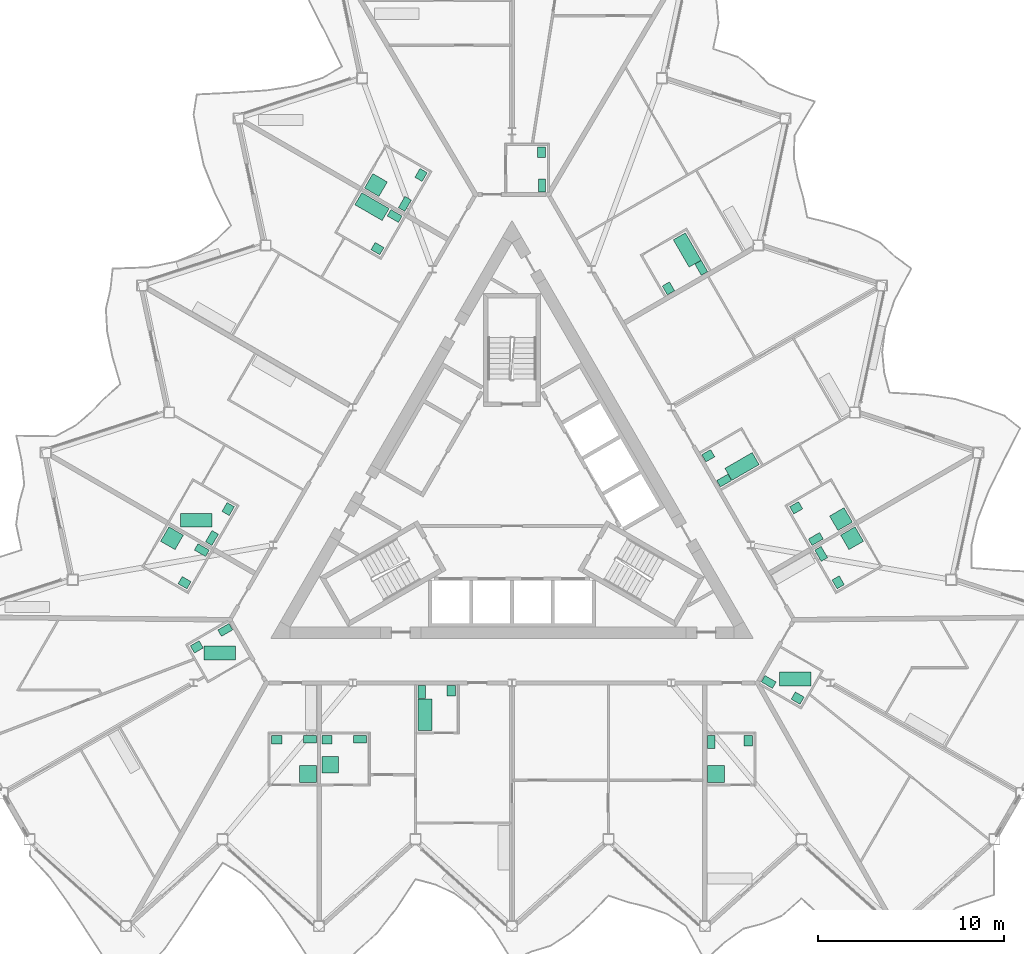
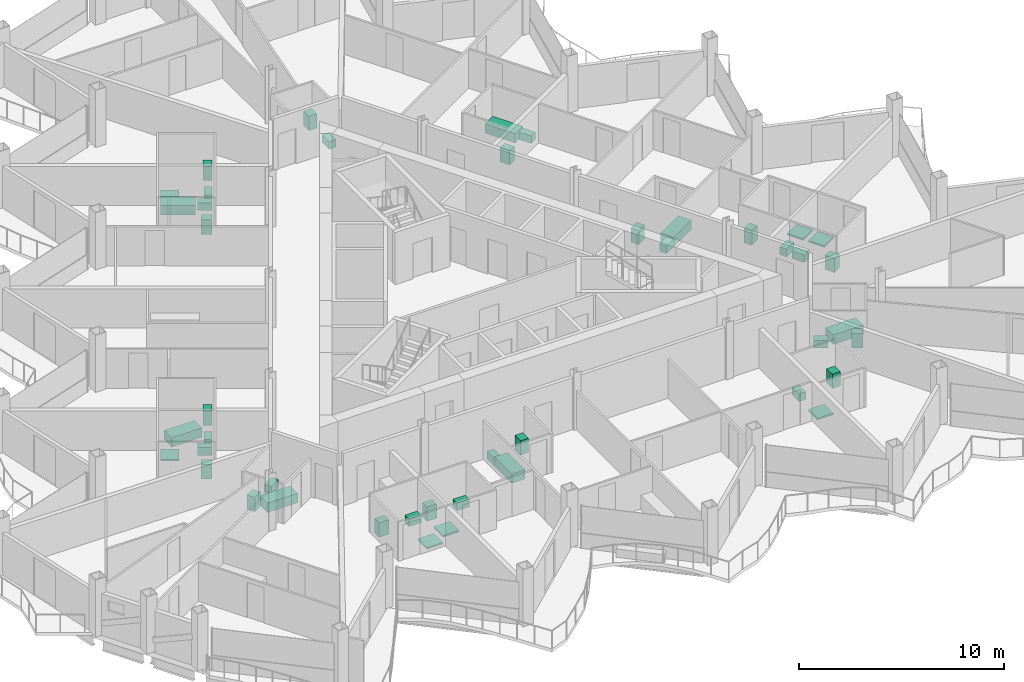
# One storey, part 26 of 27: 44 sanitary terminals.
"""IFC4 building model written with IfcOpenShell, lengths in metres."""

from ifc_helpers import new_model, si_unit, direction, frame, origin, origin_2d, place, context, subcontext, project, spatial, rectangle, extrude, material, type_object, element, save


model = new_model("IFC4")

# Units and contexts
model_context = context("Model", 3, precision=1e-05, world=origin(), true_north=direction((0.0, 1.0)))
body_context = subcontext(model_context, "Body", "Model", "MODEL_VIEW")
ifc_project = project(units=[si_unit("LENGTHUNIT", "METRE"), si_unit("AREAUNIT", "SQUARE_METRE"), si_unit("VOLUMEUNIT", "CUBIC_METRE"), si_unit("PLANEANGLEUNIT", "RADIAN"), si_unit("MASSUNIT", "GRAM", prefix="KILO")], contexts=[model_context])

# Site, building, storey
site_placement = place(None, origin())
site = spatial("IfcSite", under=ifc_project, at=site_placement, CompositionType="ELEMENT")
building_placement = place(site_placement, origin())
building = spatial("IfcBuilding", under=site, at=building_placement, Name="Cormorant Prow Tower", CompositionType="ELEMENT")
storey_placement = place(building_placement, frame((0.0, 0.0, 335.800048828125)))
storey = spatial("IfcBuildingStorey", under=building, at=storey_placement, Name="L75", CompositionType="ELEMENT", Elevation=335.800048828125)

# Sanitary terminals
ifc_material_1 = material(Name="Vitreous china")
sanitary_terminal_type_1 = type_object("IfcSanitaryTerminalType", Name="Bath 1700x750", PredefinedType="BATH", material=ifc_material_1)
for number, where, z_axis, x_axis, name in (
    (1, (-4.67626953125, -11.610595703125, 0.0), (0.0, 0.0, 1.0), (0.0, 1.0, 0.0), "Bath"),
    (2, (15.2607421875, -9.70068359375, 0.0), (0.0, 0.0, 1.0), (1.0, 0.0, 0.0), "Bath"),
    (3, (12.393310546875, 1.755615234375, 0.0), (0.0, 0.0, 1.0), (-0.866025403784, -0.5, 0.0), "Bath"),
    (4, (9.440673828125, 13.41943359375, 0.0), (0.0, 0.0, 1.0), (0.5, -0.866025403784, 0.0), "Bath"),
    (5, (-7.543701171875, 15.755126953125, 0.0), (0.0, 0.0, 1.0), (0.866025403784, -0.5, 0.0), "Bath"),
    (6, (-17.008056640625, -1.142578125, 0.0), (0.0, 0.0, 1.0), (1.0, 0.0, 0.0), "Bath"),
    (7, (-15.75244140625, -8.29248046875, 0.0), (0.0, 0.0, 1.0), (1.0, 0.0, 0.0), "Bath"),
):
    element("IfcSanitaryTerminal", number, at=place(storey_placement, frame(where, z_axis=z_axis, x_axis=x_axis)), inside=storey, type_object=sanitary_terminal_type_1, Name=name, PredefinedType="BATH", context=body_context, shape_type="SweptSolid", body=[
        extrude(rectangle(XDim=1.699951171875, YDim=0.75, at=origin_2d()), origin(), (0.0, 0.0, 1.0), 0.550048828125),
    ])
ifc_material_2 = material(Name="Vitreous china")
sanitary_terminal_type_2 = type_object("IfcSanitaryTerminalType", Name="Shower tray 900x900", PredefinedType="SHOWER", material=ifc_material_2)
for number, where, z_axis, x_axis, name in (
    (8, (-10.987548828125, -14.810546875, 0.0), (0.0, 0.0, 1.0), (-1.0, 0.0, 0.0), "Shower tray"),
    (9, (-9.797607421875, -14.310546875, 0.0), (0.0, 0.0, 1.0), (1.0, 0.0, 0.0), "Shower tray"),
    (10, (10.987548828125, -14.810546875, 0.0), (0.0, 0.0, 1.0), (0.0, 1.0, 0.0), "Shower tray"),
    (11, (18.320068359375, -2.110107421875, 0.0), (0.0, 0.0, 1.0), (0.5, -0.866025403784, 0.0), "Shower tray"),
    (12, (17.72509765625, -1.07958984375, 0.0), (0.0, 0.0, 1.0), (-0.866025403784, -0.5, 0.0), "Shower tray"),
    (13, (-7.33251953125, 16.9208984375, 0.0), (0.0, 0.0, 1.0), (0.5, 0.866025403784, 0.0), "Shower tray"),
    (14, (-18.320068359375, -2.110107421875, 0.0), (0.0, 0.0, 1.0), (0.866025403784, -0.5, 0.0), "Shower tray"),
):
    element("IfcSanitaryTerminal", number, at=place(storey_placement, frame(where, z_axis=z_axis, x_axis=x_axis)), inside=storey, type_object=sanitary_terminal_type_2, Name=name, PredefinedType="SHOWER", context=body_context, shape_type="SweptSolid", body=[
        extrude(rectangle(XDim=0.89990234375, YDim=0.89990234375, at=origin_2d()), origin(), (0.0, 0.0, 1.0), 0.10009765625),
    ])
ifc_material_3 = material(Name="Vitreous china")
sanitary_terminal_type_3 = type_object("IfcSanitaryTerminalType", Name="Wash basin 550x450", PredefinedType="WASHHANDBASIN", material=ifc_material_3)
for number, where, z_axis, x_axis, name in (
    (15, (-12.672607421875, -12.9755859375, 0.0), (0.0, 0.0, 1.0), (1.0, 0.0, 0.0), "Wash basin"),
    (16, (-3.266357421875, -10.32568359375, 0.0), (0.0, 0.0, 1.0), (0.0, -1.0, 0.0), "Wash basin"),
    (17, (-9.972412109375, -12.9755859375, 0.0), (0.0, 0.0, 1.0), (1.0, 0.0, 0.0), "Wash basin"),
    (18, (12.722412109375, -13.025634765625, 0.0), (0.0, 0.0, 1.0), (0.0, -1.0, 0.0), "Wash basin"),
    (19, (15.390380859375, -10.72509765625, 0.0), (0.0, 0.0, 1.0), (-0.866025403784, 0.5, 0.0), "Wash basin"),
    (20, (17.573486328125, -4.487060546875, 0.0), (0.0, 0.0, 1.0), (-0.5, 0.866025403784, 0.0), "Wash basin"),
    (21, (10.5751953125, 2.333984375, 0.0), (0.0, 0.0, 1.0), (0.866025403784, 0.5, 0.0), "Wash basin"),
    (22, (15.311767578125, -0.469482421875, 0.0), (0.0, 0.0, 1.0), (0.866025403784, 0.5, 0.0), "Wash basin"),
    (23, (8.428955078125, 11.3515625, 0.0), (0.0, 0.0, 1.0), (-0.5, 0.866025403784, 0.0), "Wash basin"),
    (24, (1.593017578125, 18.691162109375, 0.0), (0.0, 0.0, 1.0), (0.0, -1.0, 0.0), "Wash basin"),
    (25, (-4.90087890625, 17.46240234375, 0.0), (0.0, 0.0, 1.0), (-0.5, -0.866025403784, 0.0), "Wash basin"),
    (26, (-7.249267578125, 13.4951171875, 0.0), (0.0, 0.0, 1.0), (-0.866025403784, 0.5, 0.0), "Wash basin"),
    (27, (-15.29345703125, -0.537841796875, 0.0), (0.0, 0.0, 1.0), (-0.5, -0.866025403784, 0.0), "Wash basin"),
    (28, (-17.6416015625, -4.50537109375, 0.0), (0.0, 0.0, 1.0), (-0.866025403784, 0.5, 0.0), "Wash basin"),
    (29, (-16.9833984375, -7.9658203125, 0.0), (0.0, 0.0, 1.0), (0.866025403784, 0.5, 0.0), "Wash basin"),
):
    element("IfcSanitaryTerminal", number, at=place(storey_placement, frame(where, z_axis=z_axis, x_axis=x_axis)), inside=storey, type_object=sanitary_terminal_type_3, Name=name, PredefinedType="WASHHANDBASIN", context=body_context, shape_type="SweptSolid", body=[
        extrude(rectangle(XDim=0.550048828125, YDim=0.449951171875, at=origin_2d()), origin(), (0.0, 0.0, 1.0), 0.85009765625),
    ])
ifc_material_4 = material(Name="Vitreous china")
sanitary_terminal_type_4 = type_object("IfcSanitaryTerminalType", Name="Water closet 400x700", PredefinedType="WCSEAT", material=ifc_material_4)
for number, where, z_axis, x_axis, name in (
    (30, (-10.887451171875, -12.95068359375, 0.0), (0.0, 0.0, 1.0), (0.0, -1.0, 0.0), "Water closet"),
    (31, (-4.851318359375, -10.400634765625, 0.0), (0.0, 0.0, 1.0), (1.0, 0.0, 0.0), "Water closet"),
    (32, (-8.1875, -12.95068359375, 0.0), (0.0, 0.0, 1.0), (0.0, -1.0, 0.0), "Water closet"),
    (33, (10.737548828125, -13.1005859375, 0.0), (0.0, 0.0, 1.0), (1.0, 0.0, 0.0), "Water closet"),
    (34, (13.83203125, -9.854248046875, 0.0), (0.0, 0.0, 1.0), (0.5, 0.866025403784, 0.0), "Water closet"),
    (35, (16.6591796875, -2.95361328125, 0.0), (0.0, 0.0, 1.0), (0.866025403784, 0.5, 0.0), "Water closet"),
    (36, (11.432861328125, 0.9990234375, 0.0), (0.0, 0.0, 1.0), (-0.5, 0.866025403784, 0.0), "Water closet"),
    (37, (16.369140625, -2.151123046875, 0.0), (0.0, 0.0, 1.0), (-0.5, 0.866025403784, 0.0), "Water closet"),
    (38, (10.197265625, 12.458984375, 0.0), (0.0, 0.0, 1.0), (-0.866025403784, -0.5, 0.0), "Water closet"),
    (39, (1.617919921875, 16.906005859375, 0.0), (0.0, 0.0, 1.0), (-1.0, 0.0, 0.0), "Water closet"),
    (40, (-5.771728515625, 15.904296875, 0.0), (0.0, 0.0, 1.0), (-0.866025403784, 0.5, 0.0), "Water closet"),
    (41, (-6.321533203125, 15.251708984375, 0.0), (0.0, 0.0, 1.0), (-0.5, -0.866025403784, 0.0), "Water closet"),
    (42, (-16.164306640625, -2.09619140625, 0.0), (0.0, 0.0, 1.0), (-0.866025403784, 0.5, 0.0), "Water closet"),
    (43, (-16.714111328125, -2.748779296875, 0.0), (0.0, 0.0, 1.0), (-0.5, -0.866025403784, 0.0), "Water closet"),
    (44, (-15.4501953125, -7.0517578125, 0.0), (0.0, 0.0, 1.0), (0.5, -0.866025403784, 0.0), "Water closet"),
):
    element("IfcSanitaryTerminal", number, at=place(storey_placement, frame(where, z_axis=z_axis, x_axis=x_axis)), inside=storey, type_object=sanitary_terminal_type_4, Name=name, PredefinedType="WCSEAT", context=body_context, shape_type="SweptSolid", body=[
        extrude(rectangle(XDim=0.39990234375, YDim=0.699951171875, at=origin_2d()), origin(), (0.0, 0.0, 1.0), 0.449951171875),
    ])

save(model, "model.ifc")
